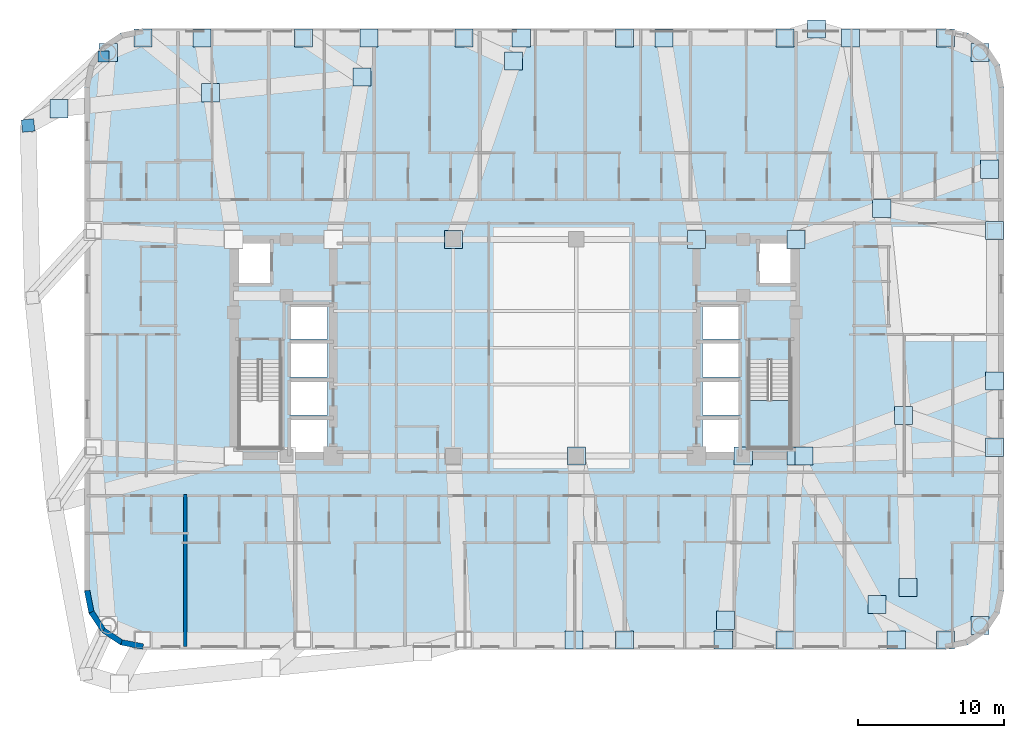
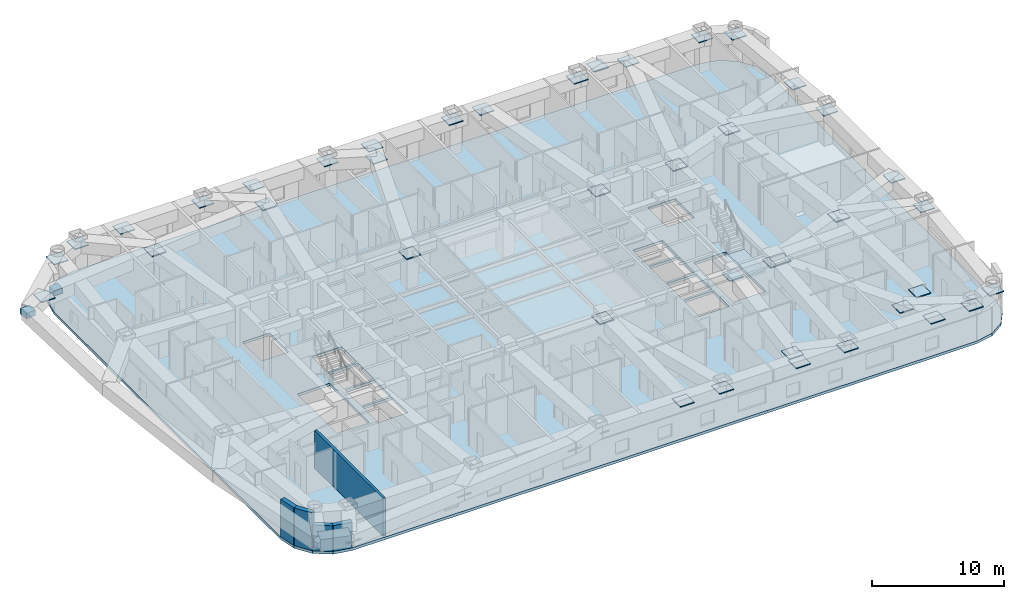
# One storey, part 3 of 14: 43 plates, 5 walls, 2 slabs, 1 element without a shape of its own.
"""IFC4 building model written with IfcOpenShell, lengths in metres."""

from ifc_helpers import new_model, si_unit, direction, frame, frame_2d, origin, origin_2d, place, context, subcontext, project, spatial, polyline, rectangle, outline, extrude, material, layer, layer_set, type_object, element, aggregate, save


model = new_model("IFC4")

# Units and contexts
model_context = context("Model", 3, precision=1e-05, world=origin(), true_north=direction((0.0, 1.0)))
body_context = subcontext(model_context, "Body", "Model", "MODEL_VIEW")
ifc_project = project(units=[si_unit("LENGTHUNIT", "METRE"), si_unit("AREAUNIT", "SQUARE_METRE"), si_unit("VOLUMEUNIT", "CUBIC_METRE"), si_unit("PLANEANGLEUNIT", "RADIAN"), si_unit("MASSUNIT", "GRAM", prefix="KILO")], contexts=[model_context])

# Site, building, storey
site_placement = place(None, origin())
site = spatial("IfcSite", under=ifc_project, at=site_placement, CompositionType="ELEMENT")
building_placement = place(site_placement, origin())
building = spatial("IfcBuilding", under=site, at=building_placement, Name="Voryun Gate Residences", CompositionType="ELEMENT")
storey_placement = place(building_placement, frame((0.0, 0.0, 136.5)))
storey = spatial("IfcBuildingStorey", under=building, at=storey_placement, Name="L33", CompositionType="ELEMENT", Elevation=136.5)

# Plates
ifc_material_1 = material(Name="Steel SM355", Category="steel")
ifc_layer_1 = layer(ifc_material_1, 0.02490234375, Name="PLT_END_CAP_25")
ifc_layer_set_1 = layer_set([ifc_layer_1], Name="Steel SM355")
plate_type_1 = type_object("IfcPlateType", Name="PLT_END_CAP_25", PredefinedType="USERDEFINED", material=ifc_layer_set_1)
for number, where, z_axis, x_axis, name in (
    (1, (7.47998046875, -19.949951171875, 2.909912109375), (0.0, 0.0, 1.0), (1.0, 0.0, 0.0), "L33 Hollow Member End-Cap Plate EC-395"),
    (2, (18.43994140625, -19.949951171875, 2.909912109375), (0.0, 0.0, 1.0), (1.0, 0.0, 0.0), "L33 Hollow Member End-Cap Plate EC-396"),
    (3, (29.39990234375, -19.949951171875, 2.909912109375), (0.0, 0.0, 1.0), (1.0, 0.0, 0.0), "L33 Hollow Member End-Cap Plate EC-397"),
    (4, (31.768798828125, -18.96875, 2.909912109375), (0.0, 0.0, 1.0), (1.0, 0.0, 0.0), "L33 Hollow Member End-Cap Plate EC-398"),
    (5, (32.75, -6.798095703125, 2.909912109375), (0.0, 0.0, 1.0), (1.0, 0.0, 0.0), "L33 Hollow Member End-Cap Plate EC-399"),
    (6, (32.75, 7.998046875, 2.909912109375), (0.0, 0.0, 1.0), (1.0, 0.0, 0.0), "L33 Hollow Member End-Cap Plate EC-400"),
    (7, (31.768798828125, 20.168701171875, 2.909912109375), (0.0, 0.0, 1.0), (1.0, 0.0, 0.0), "L33 Hollow Member End-Cap Plate EC-401"),
    (8, (29.39990234375, 21.14990234375, 2.909912109375), (0.0, 0.0, 1.0), (1.0, 0.0, 0.0), "L33 Hollow Member End-Cap Plate EC-402"),
    (9, (18.43994140625, 21.14990234375, 2.909912109375), (0.0, 0.0, 1.0), (1.0, 0.0, 0.0), "L33 Hollow Member End-Cap Plate EC-403"),
    (10, (7.47998046875, 21.14990234375, 2.909912109375), (0.0, 0.0, 1.0), (1.0, 0.0, 0.0), "L33 Hollow Member End-Cap Plate EC-404"),
    (11, (-3.47998046875, 21.14990234375, 2.909912109375), (0.0, 0.0, 1.0), (1.0, 0.0, 0.0), "L33 Hollow Member End-Cap Plate EC-405"),
    (12, (-14.43994140625, 21.14990234375, 2.909912109375), (0.0, 0.0, 1.0), (1.0, 0.0, 0.0), "L33 Hollow Member End-Cap Plate EC-406"),
    (13, (-25.39990234375, 21.14990234375, 2.909912109375), (0.0, 0.0, 1.0), (1.0, 0.0, 0.0), "L33 Hollow Member End-Cap Plate EC-407"),
    (14, (-27.768798828125, 20.168701171875, 2.909912109375), (0.0, 0.0, 1.0), (1.0, 0.0, 0.0), "L33 Hollow Member End-Cap Plate EC-408"),
    (15, (4.199951171875, -7.39990234375, 2.909912109375), (0.0, 0.0, 1.0), (1.0, 0.0, 0.0), "L33 Hollow Member End-Cap Plate EC-415"),
    (16, (4.03271484375, -19.949951171875, 2.909912109375), (0.0, 0.0, 1.0), (1.0, 0.0, 0.0), "L33 Hollow Member End-Cap Plate EC-416"),
    (17, (15.60009765625, -7.39990234375, 2.909912109375), (0.0, 0.0, 1.0), (1.0, 0.0, 0.0), "L33 Hollow Member End-Cap Plate EC-417"),
    (18, (14.233154296875, -19.949951171875, 2.909912109375), (0.0, 0.0, 1.0), (1.0, 0.0, 0.0), "L33 Hollow Member End-Cap Plate EC-418"),
    (19, (14.37890625, -18.611083984375, 2.909912109375), (0.0, 0.0, 1.0), (1.0, 0.0, 0.0), "L33 Hollow Member End-Cap Plate EC-419"),
    (20, (19.199951171875, -7.39990234375, 2.909912109375), (0.0, 0.0, 1.0), (1.0, 0.0, 0.0), "L33 Hollow Member End-Cap Plate EC-420"),
    (21, (26.045166015625, -19.949951171875, 2.909912109375), (0.0, 0.0, 1.0), (1.0, 0.0, 0.0), "L33 Hollow Member End-Cap Plate EC-421"),
    (22, (24.721923828125, -17.524169921875, 2.909912109375), (0.0, 0.0, 1.0), (1.0, 0.0, 0.0), "L33 Hollow Member End-Cap Plate EC-422"),
    (23, (32.75, -2.27099609375, 2.909912109375), (0.0, 0.0, 1.0), (1.0, 0.0, 0.0), "L33 Hollow Member End-Cap Plate EC-423"),
    (24, (26.533447265625, -4.6240234375, 2.909912109375), (0.0, 0.0, 1.0), (1.0, 0.0, 0.0), "L33 Hollow Member End-Cap Plate EC-424"),
    (25, (19.199951171875, 7.39990234375, 2.909912109375), (0.0, 0.0, 1.0), (1.0, 0.0, 0.0), "L33 Hollow Member End-Cap Plate EC-425"),
    (26, (32.412353515625, 12.18603515625, 2.909912109375), (0.0, 0.0, 1.0), (1.0, 0.0, 0.0), "L33 Hollow Member End-Cap Plate EC-426"),
    (27, (25.047119140625, 9.51806640625, 2.909912109375), (0.0, 0.0, 1.0), (1.0, 0.0, 0.0), "L33 Hollow Member End-Cap Plate EC-427"),
    (28, (22.925048828125, 21.14990234375, 2.909912109375), (0.0, 0.0, 1.0), (1.0, 0.0, 0.0), "L33 Hollow Member End-Cap Plate EC-428"),
    (29, (20.593017578125, 21.759521484375, 2.909912109375), (0.0, 0.0, 1.0), (1.0, 0.0, 0.0), "L33 Hollow Member End-Cap Plate EC-429"),
    (30, (12.39990234375, 7.39990234375, 2.909912109375), (0.0, 0.0, 1.0), (1.0, 0.0, 0.0), "L33 Hollow Member End-Cap Plate EC-430"),
    (31, (10.172607421875, 21.14990234375, 2.909912109375), (0.0, 0.0, 1.0), (1.0, 0.0, 0.0), "L33 Hollow Member End-Cap Plate EC-431"),
    (32, (-4.199951171875, 7.39990234375, 2.909912109375), (0.0, 0.0, 1.0), (1.0, 0.0, 0.0), "L33 Hollow Member End-Cap Plate EC-432"),
    (33, (0.434326171875, 21.14990234375, 2.909912109375), (0.0, 0.0, 1.0), (1.0, 0.0, 0.0), "L33 Hollow Member End-Cap Plate EC-433"),
    (34, (-0.093017578125, 19.585205078125, 2.909912109375), (0.0, 0.0, 1.0), (1.0, 0.0, 0.0), "L33 Hollow Member End-Cap Plate EC-434"),
    (35, (-9.966796875, 21.14990234375, 2.909912109375), (0.0, 0.0, 1.0), (1.0, 0.0, 0.0), "L33 Hollow Member End-Cap Plate EC-436"),
    (36, (-10.43603515625, 18.498291015625, 2.909912109375), (0.0, 0.0, 1.0), (1.0, 0.0, 0.0), "L33 Hollow Member End-Cap Plate EC-437"),
    (37, (-21.36865234375, 21.14990234375, 2.909912109375), (0.0, 0.0, 1.0), (1.0, 0.0, 0.0), "L33 Hollow Member End-Cap Plate EC-439"),
    (38, (-20.779052734375, 17.4111328125, 2.909912109375), (0.0, 0.0, 1.0), (1.0, 0.0, 0.0), "L33 Hollow Member End-Cap Plate EC-440"),
    (39, (26.8408203125, -16.373779296875, 2.909912109375), (0.0, 0.0, 1.0), (1.0, 0.0, 0.0), "L33 Hollow Member End-Cap Plate EC-442"),
    (40, (-31.1220703125, 16.32421875, 2.909912109375), (0.0, 0.0, 1.0), (1.0, 0.0, 0.0), "L33 Hollow Member End-Cap Plate EC-443"),
    (41, (19.75, -7.39990234375, 2.909912109375), (0.0, 0.0, 1.0), (1.0, 0.0, 0.0), "L33 Hollow Member End-Cap Plate EC-446"),
):
    element("IfcPlate", number, at=place(storey_placement, frame(where, z_axis=z_axis, x_axis=x_axis)), inside=storey, type_object=plate_type_1, Name=name, ObjectType="BASE_PLATE", PredefinedType="USERDEFINED", context=body_context, shape_type="SweptSolid", body=[
        extrude(rectangle(XDim=1.239990234375, YDim=1.239990234375, at=origin_2d()), origin(), (0.0, 0.0, 1.0), 0.080078125),
    ])
ifc_material_2 = material(Name="Steel SM420", Category="steel")
ifc_layer_2 = layer(ifc_material_2, 0.031982421875, Name="PLT_SPLICE_PLATE_32")
ifc_layer_set_2 = layer_set([ifc_layer_2], Name="Steel SM420")
plate_type_2 = type_object("IfcPlateType", Name="PLT_SPLICE_PLATE_32", PredefinedType="USERDEFINED", material=ifc_layer_set_2)
plate_1_placement = place(storey_placement, frame((-28.0791015625, 19.885498046875, 0.10009765625), z_axis=(0.0, 0.0, 1.0), x_axis=(1.0, 0.0, 0.0)))
element("IfcPlate", 42, at=plate_1_placement, inside=storey, type_object=plate_type_2, Name="L33 Cantilever Strut Base Gusset BS-CNW", ObjectType="SPLICE_PLATE", PredefinedType="USERDEFINED", context=body_context, shape_type="SweptSolid", body=[
    extrude(rectangle(XDim=0.75, YDim=0.75, at=origin_2d()), origin(), (0.0, 0.0, 1.0), 0.5),
])
plate_2_placement = place(storey_placement, frame((-33.24072265625, 15.173583984375, 2.699951171875), z_axis=(0.0, 0.0, 1.0), x_axis=(0.994521895368, 0.104528463268, 0.0)))
element("IfcPlate", 43, at=plate_2_placement, inside=storey, type_object=plate_type_2, Name="L33 Transfer Kink Splice Plate KN-CNW", ObjectType="SPLICE_PLATE", PredefinedType="USERDEFINED", context=body_context, shape_type="SweptSolid", body=[
    extrude(rectangle(XDim=0.85009765625, YDim=0.85009765625, at=origin_2d()), origin(), (0.0, 0.0, 1.0), 0.5),
])

# Slab
ifc_material_3 = material(Name="Concrete C40/50", Category="concrete")
ifc_layer_3 = layer(ifc_material_3, 0.25, Name="SLB_RES_250")
ifc_layer_set_3 = layer_set([ifc_layer_3], Name="Concrete C40/50")
slab_type_1 = type_object("IfcSlabType", Name="SLB_RES_250", PredefinedType="FLOOR", material=ifc_layer_set_3)
slab_1_placement = place(storey_placement, frame((0.0, 0.0, -0.25)))
element("IfcSlab", 44, at=slab_1_placement, inside=storey, type_object=slab_type_1, Name="L33 Structural Floor Slab", PredefinedType="FLOOR", context=body_context, shape_type="SweptSolid", body=[
    extrude(outline(polyline([(-25.39990234375, -20.60009765625), (-26.9306640625, -20.29541015625), (-28.228515625, -19.428466796875), (-29.095458984375, -18.130615234375), (-29.39990234375, -16.60009765625), (-29.39990234375, 17.800048828125), (-29.095458984375, 19.330810546875), (-28.228515625, 20.62841796875), (-26.9306640625, 21.49560546875), (-25.39990234375, 21.800048828125), (29.39990234375, 21.800048828125), (30.9306640625, 21.49560546875), (32.228515625, 20.62841796875), (33.095458984375, 19.330810546875), (33.39990234375, 17.800048828125), (33.39990234375, -16.60009765625), (33.095458984375, -18.130615234375), (32.228515625, -19.428466796875), (30.9306640625, -20.29541015625), (29.39990234375, -20.60009765625), (-25.39990234375, -20.60009765625)]), holes=[polyline([(-12.800048828125, -4.800048828125), (-15.39990234375, -4.800048828125), (-15.39990234375, -7.199951171875), (-12.800048828125, -7.199951171875), (-12.800048828125, -4.800048828125)]), polyline([(-18.824951171875, -6.85009765625), (-15.97509765625, -6.85009765625), (-15.97509765625, -0.840087890625), (-18.824951171875, -0.840087890625), (-18.824951171875, -6.85009765625)]), polyline([(-12.800048828125, -4.60009765625), (-12.800048828125, -2.199951171875), (-15.39990234375, -2.199951171875), (-15.39990234375, -4.60009765625), (-12.800048828125, -4.60009765625)]), polyline([(-12.800048828125, 0.39990234375), (-15.39990234375, 0.39990234375), (-15.39990234375, -2.0), (-12.800048828125, -2.0), (-12.800048828125, 0.39990234375)]), polyline([(-12.800048828125, 0.60009765625), (-12.800048828125, 2.89990234375), (-15.39990234375, 2.89990234375), (-15.39990234375, 0.60009765625), (-12.800048828125, 0.60009765625)]), polyline([(-16.60009765625, 4.300048828125), (-16.60009765625, 7.199951171875), (-19.0, 7.199951171875), (-19.0, 4.300048828125), (-16.60009765625, 4.300048828125)]), polyline([(15.39990234375, -4.800048828125), (12.800048828125, -4.800048828125), (12.800048828125, -7.199951171875), (15.39990234375, -7.199951171875), (15.39990234375, -4.800048828125)]), polyline([(15.97509765625, -6.85009765625), (18.824951171875, -6.85009765625), (18.824951171875, -0.840087890625), (15.97509765625, -0.840087890625), (15.97509765625, -6.85009765625)]), polyline([(15.39990234375, -4.60009765625), (15.39990234375, -2.199951171875), (12.800048828125, -2.199951171875), (12.800048828125, -4.60009765625), (15.39990234375, -4.60009765625)]), polyline([(15.39990234375, 0.39990234375), (12.800048828125, 0.39990234375), (12.800048828125, -2.0), (15.39990234375, -2.0), (15.39990234375, 0.39990234375)]), polyline([(15.39990234375, 0.60009765625), (15.39990234375, 2.89990234375), (12.800048828125, 2.89990234375), (12.800048828125, 0.60009765625), (15.39990234375, 0.60009765625)]), polyline([(19.0, 4.300048828125), (19.0, 7.199951171875), (16.60009765625, 7.199951171875), (16.60009765625, 4.300048828125), (19.0, 4.300048828125)])]), origin(), (0.0, 0.0, 1.0), 0.25),
])

# Stair, slab
ifc_material_4 = material(Name="Concrete C40/50", Category="concrete")
stair_type = type_object("IfcStairType", Name="STR_CORE_DOGLEG_1350", PredefinedType="HALF_TURN_STAIR", material=ifc_material_4)
stair_placement = place(storey_placement, origin())
stair = element("IfcStair", 45, at=stair_placement, inside=storey, type_object=stair_type, Name="L33 Special Escape Stair ST-E1", PredefinedType="HALF_TURN_STAIR")
ifc_material_5 = material(Name="Concrete C40/50", Category="concrete")
ifc_layer_4 = layer(ifc_material_5, 0.199951171875, Name="SLB_STAIR_LANDING_200")
ifc_layer_set_4 = layer_set([ifc_layer_4], Name="Concrete C40/50")
slab_type_2 = type_object("IfcSlabType", Name="SLB_STAIR_LANDING_200", PredefinedType="LANDING", material=ifc_layer_set_4)
slab_2_placement = place(storey_placement, frame((0.0, 0.0, 1.75)))
slab_2 = element("IfcSlab", 46, at=slab_2_placement, type_object=slab_type_2, Name="ST-E1 landing 1", PredefinedType="LANDING", context=body_context, shape_type="SweptSolid", body=[
    extrude(outline(polyline([(15.97509765625, -3.60009765625), (15.97509765625, -6.85009765625), (18.824951171875, -6.85009765625), (18.824951171875, -3.60009765625), (15.97509765625, -3.60009765625)])), origin(), (0.0, 0.0, 1.0), 0.199951171875),
])
aggregate(stair, [slab_2])

# Walls
ifc_material_6 = material(Name="Granite masonry", Category="masonry")
ifc_layer_5 = layer(ifc_material_6, 0.3798828125, Name="W_EXT_GRANITE_380")
ifc_layer_set_5 = layer_set([ifc_layer_5], Name="Granite masonry")
wall_type_1 = type_object("IfcWallType", Name="W_EXT_GRANITE_380", PredefinedType="ELEMENTEDWALL", material=ifc_layer_set_5)
wall_1_placement = place(storey_placement, frame((-25.38134765625, -20.409912109375, 0.0), z_axis=(0.0, 0.0, 1.0), x_axis=(-0.980786132421, 0.195086038585, 0.0)))
element("IfcWall", 47, at=wall_1_placement, inside=storey, type_object=wall_type_1, Name="Exterior wall WEXT-L33-02", PredefinedType="ELEMENTEDWALL", context=body_context, shape_type="SweptSolid", body=[
    extrude(rectangle(XDim=1.504150390625, YDim=0.3798828125, at=frame_2d((0.751953125, 0.0))), origin(), (0.0, 0.0, 1.0), 2.389892578125),
])
wall_2_placement = place(storey_placement, frame((-26.856689453125, -20.116455078125, 0.0), z_axis=(0.0, 0.0, 1.0), x_axis=(-0.831468045563, 0.555572577804, 0.0)))
element("IfcWall", 48, at=wall_2_placement, inside=storey, type_object=wall_type_1, Name="Exterior wall WEXT-L33-03", PredefinedType="ELEMENTEDWALL", context=body_context, shape_type="SweptSolid", body=[
    extrude(rectangle(XDim=1.48486328125, YDim=0.3798828125, at=frame_2d((0.742431640625, 0.0))), origin(), (0.0, 0.0, 1.0), 2.389892578125),
])
wall_3_placement = place(storey_placement, frame((-28.09130859375, -19.29150390625, 0.0), z_axis=(0.0, 0.0, 1.0), x_axis=(-0.555610286119, 0.831442848281, 0.0)))
element("IfcWall", 49, at=wall_3_placement, inside=storey, type_object=wall_type_1, Name="Exterior wall WEXT-L33-04", PredefinedType="ELEMENTEDWALL", context=body_context, shape_type="SweptSolid", body=[
    extrude(rectangle(XDim=1.485107421875, YDim=0.3798828125, at=frame_2d((0.74267578125, 0.0))), origin(), (0.0, 0.0, 1.0), 3.5),
])
wall_4_placement = place(storey_placement, frame((-28.91650390625, -18.056640625, 0.0), z_axis=(0.0, 0.0, 1.0), x_axis=(-0.195086038585, 0.980786132421, 0.0)))
element("IfcWall", 50, at=wall_4_placement, inside=storey, type_object=wall_type_1, Name="Exterior wall WEXT-L33-05", PredefinedType="ELEMENTEDWALL", context=body_context, shape_type="SweptSolid", body=[
    extrude(rectangle(XDim=1.504150390625, YDim=0.3798828125, at=frame_2d((0.751953125, 0.0))), origin(), (0.0, 0.0, 1.0), 3.5),
])
ifc_material_7 = material(Name="Concrete C40/50", Category="concrete")
ifc_layer_6 = layer(ifc_material_7, 0.219970703125, Name="W_PARTY_ACOUSTIC_220")
ifc_layer_set_6 = layer_set([ifc_layer_6], Name="Concrete C40/50")
wall_type_2 = type_object("IfcWallType", Name="W_PARTY_ACOUSTIC_220", PredefinedType="PARTITIONING", material=ifc_layer_set_6)
wall_5_placement = place(storey_placement, frame((-22.5, -20.409912109375, 0.0), z_axis=(0.0, 0.0, 1.0), x_axis=(0.0, 1.0, 0.0)))
element("IfcWall", 51, at=wall_5_placement, inside=storey, type_object=wall_type_2, Name="Partition wall WP-L33-SPTY-1", PredefinedType="PARTITIONING", context=body_context, shape_type="SweptSolid", body=[
    extrude(rectangle(XDim=10.389892578125, YDim=0.219970703125, at=frame_2d((5.19482421875, 0.0))), origin(), (0.0, 0.0, 1.0), 3.5),
])

save(model, "model.ifc")
